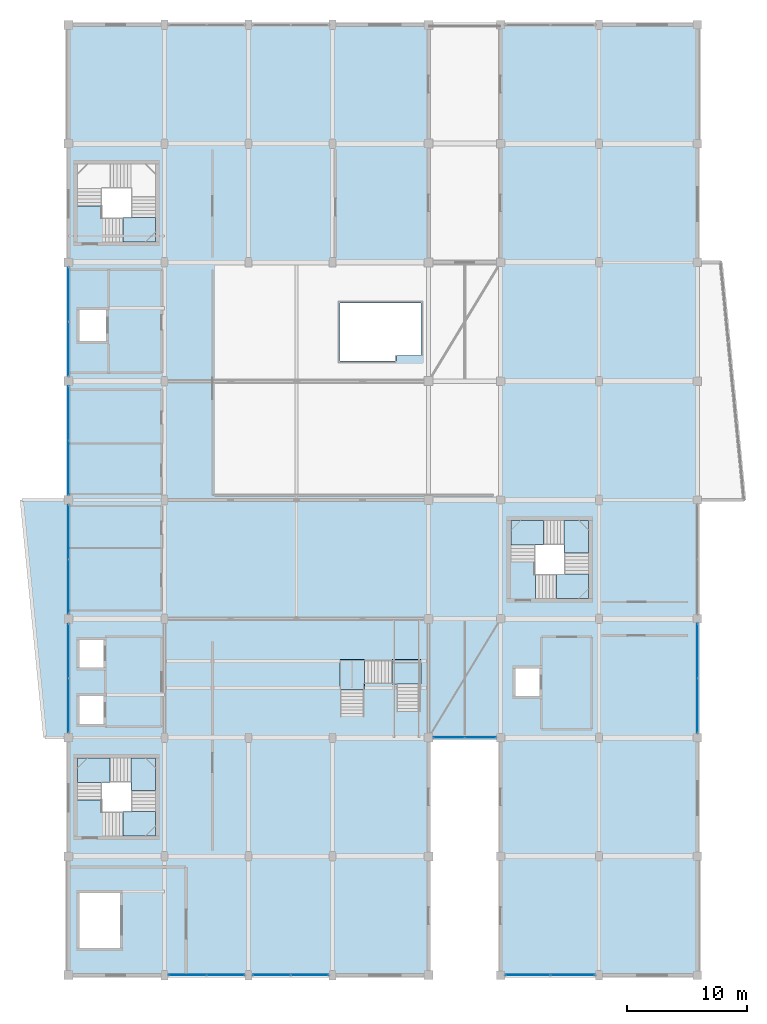
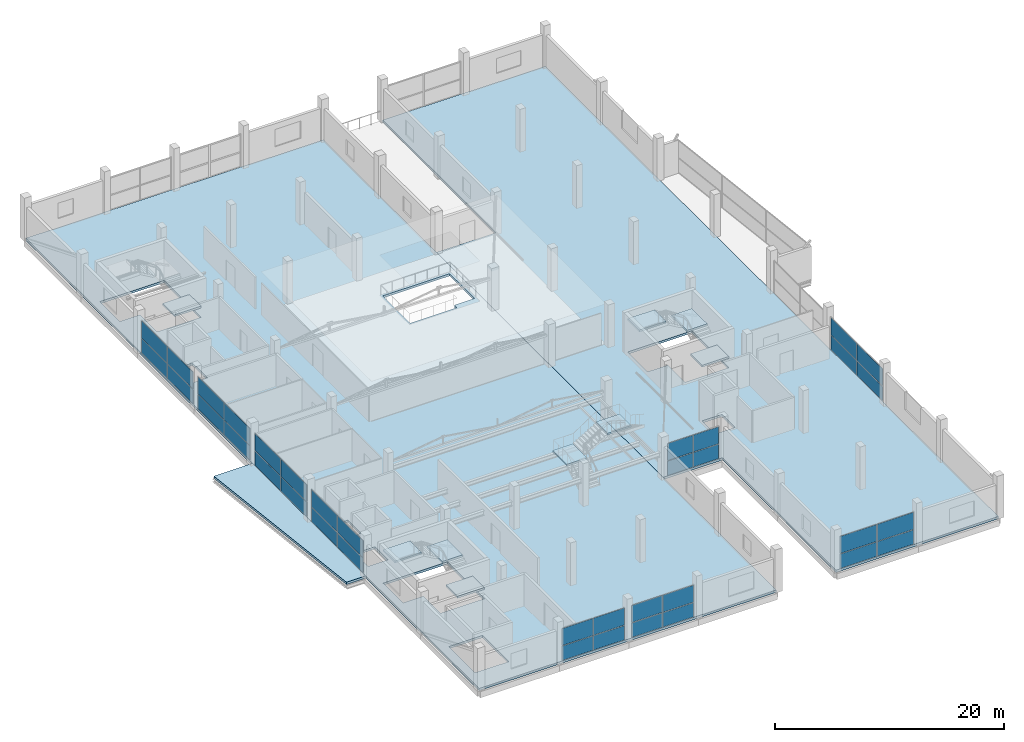
# One storey, part 38 of 55: 36 plates, 12 slabs, 13 elements without a shape of their own.
"""IFC4 building model written with IfcOpenShell, lengths in metres."""

from ifc_helpers import new_model, si_unit, direction, frame, origin, origin_2d, place, context, subcontext, project, spatial, polyline, rectangle, outline, extrude, material, layer, layer_set, type_object, element, aggregate, save


model = new_model("IFC4")

# Units and contexts
model_context = context("Model", 3, precision=1e-05, world=origin(), true_north=direction((0.0, 1.0)))
body_context = subcontext(model_context, "Body", "Model", "MODEL_VIEW")
ifc_project = project(units=[si_unit("LENGTHUNIT", "METRE"), si_unit("AREAUNIT", "SQUARE_METRE"), si_unit("VOLUMEUNIT", "CUBIC_METRE"), si_unit("PLANEANGLEUNIT", "RADIAN"), si_unit("MASSUNIT", "GRAM", prefix="KILO")], contexts=[model_context])

# Site, building, storey
site_placement = place(None, origin())
site = spatial("IfcSite", under=ifc_project, at=site_placement, CompositionType="ELEMENT")
building_placement = place(site_placement, origin())
building = spatial("IfcBuilding", under=site, at=building_placement, Name="Sillaruma Civic Art Gallery", CompositionType="ELEMENT")
storey_placement = place(building_placement, frame((0.0, 0.0, 37.739990234375)))
storey = spatial("IfcBuildingStorey", under=building, at=storey_placement, Name="L07", CompositionType="ELEMENT", Elevation=37.739990234375)

# Curtain wall, plates
ifc_material_1 = material(Name="Thermally Broken Extruded Aluminium 6063-T6", Category="aluminium")
ifc_layer_1 = layer(ifc_material_1, 0.139892578125, Name="Thermally Broken Extruded Aluminium 6063-T6")
ifc_layer_set_1 = layer_set([ifc_layer_1], Name="Thermally Broken Extruded Aluminium 6063-T6")
curtain_wall_type_1 = type_object("IfcCurtainWallType", Name="CW-UNI-48", PredefinedType="NOTDEFINED", material=ifc_layer_set_1)
curtain_wall_1_placement = place(storey_placement, origin())
curtain_wall_1 = element("IfcCurtainWall", 1, at=curtain_wall_1_placement, inside=storey, type_object=curtain_wall_type_1, Name="Unitised Curtain Wall CW-48 (CW-L07-W-5)", PredefinedType="NOTDEFINED")
ifc_material_2 = material(Name="Low-E UV-Filtered Laminated Insulating Glass", Category="glass")
ifc_layer_2 = layer(ifc_material_2, 0.028076171875, Name="Low-E UV-Filtered Laminated Insulating Glass")
ifc_layer_set_2 = layer_set([ifc_layer_2], Name="Low-E UV-Filtered Laminated Insulating Glass")
plate_type_1 = type_object("IfcPlateType", Name="PNL-GLZ-28", PredefinedType="CURTAIN_PANEL", material=ifc_layer_set_2)
plate_1_placement = place(storey_placement, frame((62.0, 62.077392578125, 0.06005859375), z_axis=(0.0, 0.0, 1.0), x_axis=(0.0, 1.0, 0.0)))
plate_1 = element("IfcPlate", 2, at=plate_1_placement, type_object=plate_type_1, Name="CW-48 panel 1.1", PredefinedType="CURTAIN_PANEL", context=body_context, shape_type="SweptSolid", body=[
    extrude(rectangle(XDim=4.485107421875, YDim=0.028076171875, at=origin_2d()), origin(), (0.0, 0.0, 1.0), 1.53369140625),
])
plate_2_placement = place(storey_placement, frame((62.0, 62.077392578125, 1.65380859375), z_axis=(0.0, 0.0, 1.0), x_axis=(0.0, 1.0, 0.0)))
plate_2 = element("IfcPlate", 3, at=plate_2_placement, type_object=plate_type_1, Name="CW-48 panel 1.2", PredefinedType="CURTAIN_PANEL", context=body_context, shape_type="SweptSolid", body=[
    extrude(rectangle(XDim=4.485107421875, YDim=0.028076171875, at=origin_2d()), origin(), (0.0, 0.0, 1.0), 1.816162109375),
])
plate_3_placement = place(storey_placement, frame((62.0, 66.62255859375, 0.06005859375), z_axis=(0.0, 0.0, 1.0), x_axis=(0.0, 1.0, 0.0)))
plate_3 = element("IfcPlate", 4, at=plate_3_placement, type_object=plate_type_1, Name="CW-48 panel 2.1", PredefinedType="CURTAIN_PANEL", context=body_context, shape_type="SweptSolid", body=[
    extrude(rectangle(XDim=4.485107421875, YDim=0.028076171875, at=origin_2d()), origin(), (0.0, 0.0, 1.0), 1.53369140625),
])
plate_4_placement = place(storey_placement, frame((62.0, 66.62255859375, 1.65380859375), z_axis=(0.0, 0.0, 1.0), x_axis=(0.0, 1.0, 0.0)))
plate_4 = element("IfcPlate", 5, at=plate_4_placement, type_object=plate_type_1, Name="CW-48 panel 2.2", PredefinedType="CURTAIN_PANEL", context=body_context, shape_type="SweptSolid", body=[
    extrude(rectangle(XDim=4.485107421875, YDim=0.028076171875, at=origin_2d()), origin(), (0.0, 0.0, 1.0), 1.816162109375),
])
aggregate(curtain_wall_1, [plate_1, plate_2, plate_3, plate_4])

ifc_layer_3 = layer(ifc_material_1, 0.159912109375, Name="Thermally Broken Extruded Aluminium 6063-T6")
ifc_layer_set_3 = layer_set([ifc_layer_3], Name="Thermally Broken Extruded Aluminium 6063-T6")
curtain_wall_type_2 = type_object("IfcCurtainWallType", Name="CW-UNI-46", PredefinedType="NOTDEFINED", material=ifc_layer_set_3)
curtain_wall_2_placement = place(storey_placement, origin())
curtain_wall_2 = element("IfcCurtainWall", 6, at=curtain_wall_2_placement, inside=storey, type_object=curtain_wall_type_2, Name="Unitised Curtain Wall CW-46 (CW-L07-W-4)", PredefinedType="NOTDEFINED")
ifc_layer_4 = layer(ifc_material_2, 0.031982421875, Name="Low-E UV-Filtered Laminated Insulating Glass")
ifc_layer_set_4 = layer_set([ifc_layer_4], Name="Low-E UV-Filtered Laminated Insulating Glass")
plate_type_2 = type_object("IfcPlateType", Name="PNL-GLZ-32", PredefinedType="CURTAIN_PANEL", material=ifc_layer_set_4)
plate_5_placement = place(storey_placement, frame((62.0, 52.1787109375, 0.06494140625), z_axis=(0.0, 0.0, 1.0), x_axis=(0.0, 1.0, 0.0)))
plate_5 = element("IfcPlate", 7, at=plate_5_placement, type_object=plate_type_2, Name="CW-46 panel 1.1", PredefinedType="CURTAIN_PANEL", context=body_context, shape_type="SweptSolid", body=[
    extrude(rectangle(XDim=4.4775390625, YDim=0.031982421875, at=origin_2d()), origin(), (0.0, 0.0, 1.0), 1.5263671875),
])
plate_6_placement = place(storey_placement, frame((62.0, 52.1787109375, 1.65625), z_axis=(0.0, 0.0, 1.0), x_axis=(0.0, 1.0, 0.0)))
plate_6 = element("IfcPlate", 8, at=plate_6_placement, type_object=plate_type_2, Name="CW-46 panel 1.2", PredefinedType="CURTAIN_PANEL", context=body_context, shape_type="SweptSolid", body=[
    extrude(rectangle(XDim=4.4775390625, YDim=0.031982421875, at=origin_2d()), origin(), (0.0, 0.0, 1.0), 1.80859375),
])
plate_7_placement = place(storey_placement, frame((62.0, 56.72119140625, 0.06494140625), z_axis=(0.0, 0.0, 1.0), x_axis=(0.0, 1.0, 0.0)))
plate_7 = element("IfcPlate", 9, at=plate_7_placement, type_object=plate_type_2, Name="CW-46 panel 2.1", PredefinedType="CURTAIN_PANEL", context=body_context, shape_type="SweptSolid", body=[
    extrude(rectangle(XDim=4.4775390625, YDim=0.031982421875, at=origin_2d()), origin(), (0.0, 0.0, 1.0), 1.5263671875),
])
plate_8_placement = place(storey_placement, frame((62.0, 56.72119140625, 1.65625), z_axis=(0.0, 0.0, 1.0), x_axis=(0.0, 1.0, 0.0)))
plate_8 = element("IfcPlate", 10, at=plate_8_placement, type_object=plate_type_2, Name="CW-46 panel 2.2", PredefinedType="CURTAIN_PANEL", context=body_context, shape_type="SweptSolid", body=[
    extrude(rectangle(XDim=4.4775390625, YDim=0.031982421875, at=origin_2d()), origin(), (0.0, 0.0, 1.0), 1.80859375),
])
aggregate(curtain_wall_2, [plate_5, plate_6, plate_7, plate_8])

ifc_layer_5 = layer(ifc_material_1, 0.139892578125, Name="Thermally Broken Extruded Aluminium 6063-T6")
ifc_layer_set_5 = layer_set([ifc_layer_5], Name="Thermally Broken Extruded Aluminium 6063-T6")
curtain_wall_type_3 = type_object("IfcCurtainWallType", Name="CW-UNI-50", PredefinedType="NOTDEFINED", material=ifc_layer_set_5)
curtain_wall_3_placement = place(storey_placement, origin())
curtain_wall_3 = element("IfcCurtainWall", 11, at=curtain_wall_3_placement, inside=storey, type_object=curtain_wall_type_3, Name="Unitised Curtain Wall CW-50 (CW-L07-S-2)", PredefinedType="NOTDEFINED")
ifc_layer_6 = layer(ifc_material_2, 0.033935546875, Name="Low-E UV-Filtered Laminated Insulating Glass")
ifc_layer_set_6 = layer_set([ifc_layer_6], Name="Low-E UV-Filtered Laminated Insulating Glass")
plate_type_3 = type_object("IfcPlateType", Name="PNL-GLZ-34", PredefinedType="CURTAIN_PANEL", material=ifc_layer_set_6)
plate_9_placement = place(storey_placement, frame((71.9150390625, 19.800048828125, 0.06494140625), z_axis=(0.0, 0.0, 1.0), x_axis=(1.0, 0.0, 0.0)))
plate_9 = element("IfcPlate", 12, at=plate_9_placement, type_object=plate_type_3, Name="CW-50 panel 1.1", PredefinedType="CURTAIN_PANEL", context=body_context, shape_type="SweptSolid", body=[
    extrude(rectangle(XDim=3.110107421875, YDim=0.033935546875, at=origin_2d()), origin(), (0.0, 0.0, 1.0), 1.5263671875),
])
plate_10_placement = place(storey_placement, frame((71.9150390625, 19.800048828125, 1.65625), z_axis=(0.0, 0.0, 1.0), x_axis=(1.0, 0.0, 0.0)))
plate_10 = element("IfcPlate", 13, at=plate_10_placement, type_object=plate_type_3, Name="CW-50 panel 1.2", PredefinedType="CURTAIN_PANEL", context=body_context, shape_type="SweptSolid", body=[
    extrude(rectangle(XDim=3.110107421875, YDim=0.033935546875, at=origin_2d()), origin(), (0.0, 0.0, 1.0), 1.80859375),
])
plate_11_placement = place(storey_placement, frame((75.0849609375, 19.800048828125, 0.06494140625), z_axis=(0.0, 0.0, 1.0), x_axis=(1.0, 0.0, 0.0)))
plate_11 = element("IfcPlate", 14, at=plate_11_placement, type_object=plate_type_3, Name="CW-50 panel 2.1", PredefinedType="CURTAIN_PANEL", context=body_context, shape_type="SweptSolid", body=[
    extrude(rectangle(XDim=3.110107421875, YDim=0.033935546875, at=origin_2d()), origin(), (0.0, 0.0, 1.0), 1.5263671875),
])
plate_12_placement = place(storey_placement, frame((75.0849609375, 19.800048828125, 1.65625), z_axis=(0.0, 0.0, 1.0), x_axis=(1.0, 0.0, 0.0)))
plate_12 = element("IfcPlate", 15, at=plate_12_placement, type_object=plate_type_3, Name="CW-50 panel 2.2", PredefinedType="CURTAIN_PANEL", context=body_context, shape_type="SweptSolid", body=[
    extrude(rectangle(XDim=3.110107421875, YDim=0.033935546875, at=origin_2d()), origin(), (0.0, 0.0, 1.0), 1.80859375),
])
aggregate(curtain_wall_3, [plate_9, plate_10, plate_11, plate_12])

ifc_layer_7 = layer(ifc_material_1, 0.139892578125, Name="Thermally Broken Extruded Aluminium 6063-T6")
ifc_layer_set_7 = layer_set([ifc_layer_7], Name="Thermally Broken Extruded Aluminium 6063-T6")
curtain_wall_type_4 = type_object("IfcCurtainWallType", Name="CW-UNI-53", PredefinedType="NOTDEFINED", material=ifc_layer_set_7)
curtain_wall_4_placement = place(storey_placement, origin())
curtain_wall_4 = element("IfcCurtainWall", 16, at=curtain_wall_4_placement, inside=storey, type_object=curtain_wall_type_4, Name="Unitised Curtain Wall CW-53 (CW-L07-CYN-S)", PredefinedType="NOTDEFINED")
plate_13_placement = place(storey_placement, frame((93.708740234375, 39.60009765625, 0.06494140625), z_axis=(0.0, 0.0, 1.0), x_axis=(1.0, 0.0, 0.0)))
plate_13 = element("IfcPlate", 17, at=plate_13_placement, type_object=plate_type_3, Name="CW-53 panel 1.1", PredefinedType="CURTAIN_PANEL", context=body_context, shape_type="SweptSolid", body=[
    extrude(rectangle(XDim=2.547607421875, YDim=0.033935546875, at=origin_2d()), origin(), (0.0, 0.0, 1.0), 1.5263671875),
])
plate_14_placement = place(storey_placement, frame((93.708740234375, 39.60009765625, 1.65625), z_axis=(0.0, 0.0, 1.0), x_axis=(1.0, 0.0, 0.0)))
plate_14 = element("IfcPlate", 18, at=plate_14_placement, type_object=plate_type_3, Name="CW-53 panel 1.2", PredefinedType="CURTAIN_PANEL", context=body_context, shape_type="SweptSolid", body=[
    extrude(rectangle(XDim=2.547607421875, YDim=0.033935546875, at=origin_2d()), origin(), (0.0, 0.0, 1.0), 1.80859375),
])
plate_15_placement = place(storey_placement, frame((96.316162109375, 39.60009765625, 0.06494140625), z_axis=(0.0, 0.0, 1.0), x_axis=(1.0, 0.0, 0.0)))
plate_15 = element("IfcPlate", 19, at=plate_15_placement, type_object=plate_type_3, Name="CW-53 panel 2.1", PredefinedType="CURTAIN_PANEL", context=body_context, shape_type="SweptSolid", body=[
    extrude(rectangle(XDim=2.547607421875, YDim=0.033935546875, at=origin_2d()), origin(), (0.0, 0.0, 1.0), 1.5263671875),
])
plate_16_placement = place(storey_placement, frame((96.316162109375, 39.60009765625, 1.65625), z_axis=(0.0, 0.0, 1.0), x_axis=(1.0, 0.0, 0.0)))
plate_16 = element("IfcPlate", 20, at=plate_16_placement, type_object=plate_type_3, Name="CW-53 panel 2.2", PredefinedType="CURTAIN_PANEL", context=body_context, shape_type="SweptSolid", body=[
    extrude(rectangle(XDim=2.547607421875, YDim=0.033935546875, at=origin_2d()), origin(), (0.0, 0.0, 1.0), 1.80859375),
])
aggregate(curtain_wall_4, [plate_13, plate_14, plate_15, plate_16])

ifc_layer_8 = layer(ifc_material_1, 0.179931640625, Name="Thermally Broken Extruded Aluminium 6063-T6")
ifc_layer_set_8 = layer_set([ifc_layer_8], Name="Thermally Broken Extruded Aluminium 6063-T6")
curtain_wall_type_5 = type_object("IfcCurtainWallType", Name="CW-UNI-44", PredefinedType="NOTDEFINED", material=ifc_layer_set_8)
curtain_wall_5_placement = place(storey_placement, origin())
curtain_wall_5 = element("IfcCurtainWall", 21, at=curtain_wall_5_placement, inside=storey, type_object=curtain_wall_type_5, Name="Unitised Curtain Wall CW-44 (CW-L07-W-3)", PredefinedType="NOTDEFINED")
ifc_layer_9 = layer(ifc_material_2, 0.035888671875, Name="Low-E UV-Filtered Laminated Insulating Glass")
ifc_layer_set_9 = layer_set([ifc_layer_9], Name="Low-E UV-Filtered Laminated Insulating Glass")
plate_type_4 = type_object("IfcPlateType", Name="PNL-GLZ-36", PredefinedType="CURTAIN_PANEL", material=ifc_layer_set_9)
plate_17_placement = place(storey_placement, frame((62.0, 42.280029296875, 0.06982421875), z_axis=(0.0, 0.0, 1.0), x_axis=(0.0, 1.0, 0.0)))
plate_17 = element("IfcPlate", 22, at=plate_17_placement, type_object=plate_type_4, Name="CW-44 panel 1.1", PredefinedType="CURTAIN_PANEL", context=body_context, shape_type="SweptSolid", body=[
    extrude(rectangle(XDim=4.469970703125, YDim=0.035888671875, at=origin_2d()), origin(), (0.0, 0.0, 1.0), 1.518798828125),
])
plate_18_placement = place(storey_placement, frame((62.0, 42.280029296875, 1.65869140625), z_axis=(0.0, 0.0, 1.0), x_axis=(0.0, 1.0, 0.0)))
plate_18 = element("IfcPlate", 23, at=plate_18_placement, type_object=plate_type_4, Name="CW-44 panel 1.2", PredefinedType="CURTAIN_PANEL", context=body_context, shape_type="SweptSolid", body=[
    extrude(rectangle(XDim=4.469970703125, YDim=0.035888671875, at=origin_2d()), origin(), (0.0, 0.0, 1.0), 1.80126953125),
])
plate_19_placement = place(storey_placement, frame((62.0, 46.820068359375, 0.06982421875), z_axis=(0.0, 0.0, 1.0), x_axis=(0.0, 1.0, 0.0)))
plate_19 = element("IfcPlate", 24, at=plate_19_placement, type_object=plate_type_4, Name="CW-44 panel 2.1", PredefinedType="CURTAIN_PANEL", context=body_context, shape_type="SweptSolid", body=[
    extrude(rectangle(XDim=4.469970703125, YDim=0.035888671875, at=origin_2d()), origin(), (0.0, 0.0, 1.0), 1.518798828125),
])
plate_20_placement = place(storey_placement, frame((62.0, 46.820068359375, 1.65869140625), z_axis=(0.0, 0.0, 1.0), x_axis=(0.0, 1.0, 0.0)))
plate_20 = element("IfcPlate", 25, at=plate_20_placement, type_object=plate_type_4, Name="CW-44 panel 2.2", PredefinedType="CURTAIN_PANEL", context=body_context, shape_type="SweptSolid", body=[
    extrude(rectangle(XDim=4.469970703125, YDim=0.035888671875, at=origin_2d()), origin(), (0.0, 0.0, 1.0), 1.80126953125),
])
aggregate(curtain_wall_5, [plate_17, plate_18, plate_19, plate_20])

ifc_layer_10 = layer(ifc_material_1, 0.179931640625, Name="Thermally Broken Extruded Aluminium 6063-T6")
ifc_layer_set_10 = layer_set([ifc_layer_10], Name="Thermally Broken Extruded Aluminium 6063-T6")
curtain_wall_type_6 = type_object("IfcCurtainWallType", Name="CW-UNI-51", PredefinedType="NOTDEFINED", material=ifc_layer_set_10)
curtain_wall_6_placement = place(storey_placement, origin())
curtain_wall_6 = element("IfcCurtainWall", 26, at=curtain_wall_6_placement, inside=storey, type_object=curtain_wall_type_6, Name="Unitised Curtain Wall CW-51 (CW-L07-S-3)", PredefinedType="NOTDEFINED")
plate_21_placement = place(storey_placement, frame((78.91748046875, 19.800048828125, 0.06982421875), z_axis=(0.0, 0.0, 1.0), x_axis=(1.0, 0.0, 0.0)))
plate_21 = element("IfcPlate", 27, at=plate_21_placement, type_object=plate_type_4, Name="CW-51 panel 1.1", PredefinedType="CURTAIN_PANEL", context=body_context, shape_type="SweptSolid", body=[
    extrude(rectangle(XDim=3.094970703125, YDim=0.035888671875, at=origin_2d()), origin(), (0.0, 0.0, 1.0), 1.518798828125),
])
plate_22_placement = place(storey_placement, frame((78.91748046875, 19.800048828125, 1.65869140625), z_axis=(0.0, 0.0, 1.0), x_axis=(1.0, 0.0, 0.0)))
plate_22 = element("IfcPlate", 28, at=plate_22_placement, type_object=plate_type_4, Name="CW-51 panel 1.2", PredefinedType="CURTAIN_PANEL", context=body_context, shape_type="SweptSolid", body=[
    extrude(rectangle(XDim=3.094970703125, YDim=0.035888671875, at=origin_2d()), origin(), (0.0, 0.0, 1.0), 1.80126953125),
])
plate_23_placement = place(storey_placement, frame((82.08251953125, 19.800048828125, 0.06982421875), z_axis=(0.0, 0.0, 1.0), x_axis=(1.0, 0.0, 0.0)))
plate_23 = element("IfcPlate", 29, at=plate_23_placement, type_object=plate_type_4, Name="CW-51 panel 2.1", PredefinedType="CURTAIN_PANEL", context=body_context, shape_type="SweptSolid", body=[
    extrude(rectangle(XDim=3.094970703125, YDim=0.035888671875, at=origin_2d()), origin(), (0.0, 0.0, 1.0), 1.518798828125),
])
plate_24_placement = place(storey_placement, frame((82.08251953125, 19.800048828125, 1.65869140625), z_axis=(0.0, 0.0, 1.0), x_axis=(1.0, 0.0, 0.0)))
plate_24 = element("IfcPlate", 30, at=plate_24_placement, type_object=plate_type_4, Name="CW-51 panel 2.2", PredefinedType="CURTAIN_PANEL", context=body_context, shape_type="SweptSolid", body=[
    extrude(rectangle(XDim=3.094970703125, YDim=0.035888671875, at=origin_2d()), origin(), (0.0, 0.0, 1.0), 1.80126953125),
])
aggregate(curtain_wall_6, [plate_21, plate_22, plate_23, plate_24])

ifc_layer_11 = layer(ifc_material_1, 0.179931640625, Name="Thermally Broken Extruded Aluminium 6063-T6")
ifc_layer_set_11 = layer_set([ifc_layer_11], Name="Thermally Broken Extruded Aluminium 6063-T6")
curtain_wall_type_7 = type_object("IfcCurtainWallType", Name="CW-UNI-45", PredefinedType="NOTDEFINED", material=ifc_layer_set_11)
curtain_wall_7_placement = place(storey_placement, origin())
curtain_wall_7 = element("IfcCurtainWall", 31, at=curtain_wall_7_placement, inside=storey, type_object=curtain_wall_type_7, Name="Unitised Curtain Wall CW-45 (CW-L07-E-3)", PredefinedType="NOTDEFINED")
ifc_layer_12 = layer(ifc_material_2, 0.0400390625, Name="Low-E UV-Filtered Laminated Insulating Glass")
ifc_layer_set_12 = layer_set([ifc_layer_12], Name="Low-E UV-Filtered Laminated Insulating Glass")
plate_type_5 = type_object("IfcPlateType", Name="PNL-GLZ-40", PredefinedType="CURTAIN_PANEL", material=ifc_layer_set_12)
plate_25_placement = place(storey_placement, frame((114.39990234375, 42.267578125, 0.06494140625), z_axis=(0.0, 0.0, 1.0), x_axis=(0.0, 1.0, 0.0)))
plate_25 = element("IfcPlate", 32, at=plate_25_placement, type_object=plate_type_5, Name="CW-45 panel 1.1", PredefinedType="CURTAIN_PANEL", context=body_context, shape_type="SweptSolid", body=[
    extrude(rectangle(XDim=4.4951171875, YDim=0.0400390625, at=origin_2d()), origin(), (0.0, 0.0, 1.0), 1.5263671875),
])
plate_26_placement = place(storey_placement, frame((114.39990234375, 42.267578125, 1.65625), z_axis=(0.0, 0.0, 1.0), x_axis=(0.0, 1.0, 0.0)))
plate_26 = element("IfcPlate", 33, at=plate_26_placement, type_object=plate_type_5, Name="CW-45 panel 1.2", PredefinedType="CURTAIN_PANEL", context=body_context, shape_type="SweptSolid", body=[
    extrude(rectangle(XDim=4.4951171875, YDim=0.0400390625, at=origin_2d()), origin(), (0.0, 0.0, 1.0), 1.80859375),
])
plate_27_placement = place(storey_placement, frame((114.39990234375, 46.83251953125, 0.06494140625), z_axis=(0.0, 0.0, 1.0), x_axis=(0.0, 1.0, 0.0)))
plate_27 = element("IfcPlate", 34, at=plate_27_placement, type_object=plate_type_5, Name="CW-45 panel 2.1", PredefinedType="CURTAIN_PANEL", context=body_context, shape_type="SweptSolid", body=[
    extrude(rectangle(XDim=4.4951171875, YDim=0.0400390625, at=origin_2d()), origin(), (0.0, 0.0, 1.0), 1.5263671875),
])
plate_28_placement = place(storey_placement, frame((114.39990234375, 46.83251953125, 1.65625), z_axis=(0.0, 0.0, 1.0), x_axis=(0.0, 1.0, 0.0)))
plate_28 = element("IfcPlate", 35, at=plate_28_placement, type_object=plate_type_5, Name="CW-45 panel 2.2", PredefinedType="CURTAIN_PANEL", context=body_context, shape_type="SweptSolid", body=[
    extrude(rectangle(XDim=4.4951171875, YDim=0.0400390625, at=origin_2d()), origin(), (0.0, 0.0, 1.0), 1.80859375),
])
aggregate(curtain_wall_7, [plate_25, plate_26, plate_27, plate_28])

curtain_wall_8_placement = place(storey_placement, origin())
curtain_wall_8 = element("IfcCurtainWall", 36, at=curtain_wall_8_placement, inside=storey, type_object=curtain_wall_type_7, Name="Unitised Curtain Wall CW-45 (CW-L07-W-6)", PredefinedType="NOTDEFINED")
plate_29_placement = place(storey_placement, frame((62.0, 71.97998046875, 0.06494140625), z_axis=(0.0, 0.0, 1.0), x_axis=(0.0, 1.0, 0.0)))
plate_29 = element("IfcPlate", 37, at=plate_29_placement, type_object=plate_type_5, Name="CW-45 panel 1.1", PredefinedType="CURTAIN_PANEL", context=body_context, shape_type="SweptSolid", body=[
    extrude(rectangle(XDim=4.469970703125, YDim=0.0400390625, at=origin_2d()), origin(), (0.0, 0.0, 1.0), 1.5263671875),
])
plate_30_placement = place(storey_placement, frame((62.0, 71.97998046875, 1.65625), z_axis=(0.0, 0.0, 1.0), x_axis=(0.0, 1.0, 0.0)))
plate_30 = element("IfcPlate", 38, at=plate_30_placement, type_object=plate_type_5, Name="CW-45 panel 1.2", PredefinedType="CURTAIN_PANEL", context=body_context, shape_type="SweptSolid", body=[
    extrude(rectangle(XDim=4.469970703125, YDim=0.0400390625, at=origin_2d()), origin(), (0.0, 0.0, 1.0), 1.80859375),
])
plate_31_placement = place(storey_placement, frame((62.0, 76.52001953125, 0.06494140625), z_axis=(0.0, 0.0, 1.0), x_axis=(0.0, 1.0, 0.0)))
plate_31 = element("IfcPlate", 39, at=plate_31_placement, type_object=plate_type_5, Name="CW-45 panel 2.1", PredefinedType="CURTAIN_PANEL", context=body_context, shape_type="SweptSolid", body=[
    extrude(rectangle(XDim=4.469970703125, YDim=0.0400390625, at=origin_2d()), origin(), (0.0, 0.0, 1.0), 1.5263671875),
])
plate_32_placement = place(storey_placement, frame((62.0, 76.52001953125, 1.65625), z_axis=(0.0, 0.0, 1.0), x_axis=(0.0, 1.0, 0.0)))
plate_32 = element("IfcPlate", 40, at=plate_32_placement, type_object=plate_type_5, Name="CW-45 panel 2.2", PredefinedType="CURTAIN_PANEL", context=body_context, shape_type="SweptSolid", body=[
    extrude(rectangle(XDim=4.469970703125, YDim=0.0400390625, at=origin_2d()), origin(), (0.0, 0.0, 1.0), 1.80859375),
])
aggregate(curtain_wall_8, [plate_29, plate_30, plate_31, plate_32])

ifc_layer_13 = layer(ifc_material_1, 0.179931640625, Name="Thermally Broken Extruded Aluminium 6063-T6")
ifc_layer_set_13 = layer_set([ifc_layer_13], Name="Thermally Broken Extruded Aluminium 6063-T6")
curtain_wall_type_8 = type_object("IfcCurtainWallType", Name="CW-UNI-52", PredefinedType="NOTDEFINED", material=ifc_layer_set_13)
curtain_wall_9_placement = place(storey_placement, origin())
curtain_wall_9 = element("IfcCurtainWall", 41, at=curtain_wall_9_placement, inside=storey, type_object=curtain_wall_type_8, Name="Unitised Curtain Wall CW-52 (CW-L07-S-6)", PredefinedType="NOTDEFINED")
plate_33_placement = place(storey_placement, frame((100.2548828125, 19.800048828125, 0.06494140625), z_axis=(0.0, 0.0, 1.0), x_axis=(1.0, 0.0, 0.0)))
plate_33 = element("IfcPlate", 42, at=plate_33_placement, type_object=plate_type_5, Name="CW-52 panel 1.1", PredefinedType="CURTAIN_PANEL", context=body_context, shape_type="SweptSolid", body=[
    extrude(rectangle(XDim=3.669921875, YDim=0.0400390625, at=origin_2d()), origin(), (0.0, 0.0, 1.0), 1.5263671875),
])
plate_34_placement = place(storey_placement, frame((100.2548828125, 19.800048828125, 1.65625), z_axis=(0.0, 0.0, 1.0), x_axis=(1.0, 0.0, 0.0)))
plate_34 = element("IfcPlate", 43, at=plate_34_placement, type_object=plate_type_5, Name="CW-52 panel 1.2", PredefinedType="CURTAIN_PANEL", context=body_context, shape_type="SweptSolid", body=[
    extrude(rectangle(XDim=3.669921875, YDim=0.0400390625, at=origin_2d()), origin(), (0.0, 0.0, 1.0), 1.80859375),
])
plate_35_placement = place(storey_placement, frame((103.9951171875, 19.800048828125, 0.06494140625), z_axis=(0.0, 0.0, 1.0), x_axis=(1.0, 0.0, 0.0)))
plate_35 = element("IfcPlate", 44, at=plate_35_placement, type_object=plate_type_5, Name="CW-52 panel 2.1", PredefinedType="CURTAIN_PANEL", context=body_context, shape_type="SweptSolid", body=[
    extrude(rectangle(XDim=3.669921875, YDim=0.0400390625, at=origin_2d()), origin(), (0.0, 0.0, 1.0), 1.5263671875),
])
plate_36_placement = place(storey_placement, frame((103.9951171875, 19.800048828125, 1.65625), z_axis=(0.0, 0.0, 1.0), x_axis=(1.0, 0.0, 0.0)))
plate_36 = element("IfcPlate", 45, at=plate_36_placement, type_object=plate_type_5, Name="CW-52 panel 2.2", PredefinedType="CURTAIN_PANEL", context=body_context, shape_type="SweptSolid", body=[
    extrude(rectangle(XDim=3.669921875, YDim=0.0400390625, at=origin_2d()), origin(), (0.0, 0.0, 1.0), 1.80859375),
])
aggregate(curtain_wall_9, [plate_33, plate_34, plate_35, plate_36])

# Slabs
ifc_material_3 = material(Name="Concrete H35 (35 MPa)", Category="concrete")
ifc_layer_14 = layer(ifc_material_3, 0.239990234375, Name="Concrete H35 (35 MPa)")
ifc_layer_set_14 = layer_set([ifc_layer_14], Name="Concrete H35 (35 MPa)")
slab_type_1 = type_object("IfcSlabType", Name="SLB-FLR-240", PredefinedType="FLOOR", material=ifc_layer_set_14)
slab_1_placement = place(storey_placement, frame((0.0, 0.0, -0.239990234375)))
element("IfcSlab", 46, at=slab_1_placement, inside=storey, type_object=slab_type_1, Name="Floor Slab SF-240 (SLB-L07-WEST)", PredefinedType="FLOOR", context=body_context, shape_type="SweptSolid", body=[
    extrude(outline(polyline([(62.0, 19.800048828125), (92.0, 19.800048828125), (92.0, 99.0), (62.0, 99.0), (62.0, 19.800048828125)]), holes=[polyline([(64.81494140625, 80.909912109375), (69.239990234375, 80.909912109375), (69.239990234375, 87.389892578125), (62.760009765625, 87.389892578125), (62.760009765625, 83.9150390625), (64.81494140625, 83.9150390625), (64.81494140625, 80.909912109375)]), polyline([(64.81494140625, 31.409912109375), (69.239990234375, 31.409912109375), (69.239990234375, 37.889892578125), (62.760009765625, 37.889892578125), (62.760009765625, 34.4150390625), (64.81494140625, 34.4150390625), (64.81494140625, 31.409912109375)]), polyline([(84.60009765625, 71.0), (89.320068359375, 71.0), (89.320068359375, 71.455078125), (91.360107421875, 71.455078125), (91.360107421875, 75.800048828125), (84.60009765625, 75.800048828125), (84.60009765625, 71.0)]), polyline([(62.89990234375, 40.75), (64.89990234375, 40.75), (64.89990234375, 43.050048828125), (62.89990234375, 43.050048828125), (62.89990234375, 40.75)]), polyline([(62.89990234375, 45.449951171875), (64.89990234375, 45.449951171875), (64.89990234375, 47.75), (62.89990234375, 47.75), (62.89990234375, 45.449951171875)]), polyline([(62.89990234375, 72.64990234375), (65.10009765625, 72.64990234375), (65.10009765625, 75.25), (62.89990234375, 75.25), (62.89990234375, 72.64990234375)]), polyline([(62.89990234375, 22.050048828125), (66.300048828125, 22.050048828125), (66.300048828125, 26.64990234375), (62.89990234375, 26.64990234375), (62.89990234375, 22.050048828125)])]), origin(), (0.0, 0.0, 1.0), 0.239990234375),
])
slab_2_placement = place(storey_placement, frame((0.0, 0.0, -0.239990234375)))
element("IfcSlab", 47, at=slab_2_placement, inside=storey, type_object=slab_type_1, Name="Floor Slab SF-240 (SLB-L07-EAST)", PredefinedType="FLOOR", context=body_context, shape_type="SweptSolid", body=[
    extrude(outline(polyline([(92.0, 39.60009765625), (98.0, 39.60009765625), (98.0, 19.800048828125), (114.39990234375, 19.800048828125), (114.39990234375, 99.0), (98.0, 99.0), (98.0, 79.199951171875), (92.0, 79.199951171875), (92.0, 39.60009765625)]), holes=[polyline([(100.9150390625, 51.2099609375), (105.340087890625, 51.2099609375), (105.340087890625, 57.68994140625), (98.860107421875, 57.68994140625), (98.860107421875, 54.215087890625), (100.9150390625, 54.215087890625), (100.9150390625, 51.2099609375)]), polyline([(99.25, 43.050048828125), (101.25, 43.050048828125), (101.25, 45.35009765625), (99.25, 45.35009765625), (99.25, 43.050048828125)])]), origin(), (0.0, 0.0, 1.0), 0.239990234375),
])

# Stair, slabs
stair_type_1 = type_object("IfcStairType", Name="STR-3F-27", PredefinedType="TWO_QUARTER_TURN_STAIR", material=ifc_material_3)
stair_1_placement = place(storey_placement, origin())
stair_1 = element("IfcStair", 48, at=stair_1_placement, inside=storey, type_object=stair_type_1, Name="Monumental Gallery Feature Stair ST-G04 (L07)", PredefinedType="TWO_QUARTER_TURN_STAIR")
ifc_layer_15 = layer(ifc_material_3, 0.18505859375, Name="Concrete H35 (35 MPa)")
ifc_layer_set_15 = layer_set([ifc_layer_15], Name="Concrete H35 (35 MPa)")
slab_type_2 = type_object("IfcSlabType", Name="SLB-LND-185", PredefinedType="LANDING", material=ifc_layer_set_15)
slab_3_placement = place(storey_placement, frame((0.0, 0.0, 1.344970703125)))
slab_3 = element("IfcSlab", 49, at=slab_3_placement, type_object=slab_type_2, Name="ST-G04 landing 1", PredefinedType="LANDING", context=body_context, shape_type="SweptSolid", body=[
    extrude(outline(polyline([(84.60009765625, 43.6201171875), (86.639892578125, 43.6201171875), (86.639892578125, 46.10009765625), (84.60009765625, 46.10009765625), (84.60009765625, 43.6201171875)])), origin(), (0.0, 0.0, 1.0), 0.18505859375),
])
slab_4_placement = place(storey_placement, frame((0.0, 0.0, 2.875)))
slab_4 = element("IfcSlab", 50, at=slab_4_placement, type_object=slab_type_2, Name="ST-G04 landing 2", PredefinedType="LANDING", context=body_context, shape_type="SweptSolid", body=[
    extrude(outline(polyline([(88.9599609375, 44.06005859375), (91.360107421875, 44.06005859375), (91.360107421875, 46.10009765625), (88.9599609375, 46.10009765625), (88.9599609375, 44.06005859375)])), origin(), (0.0, 0.0, 1.0), 0.18505859375),
])
aggregate(stair_1, [slab_3, slab_4])

# Stair, slab
stair_type_2 = type_object("IfcStairType", Name="STR-4F-27", PredefinedType="USERDEFINED", material=ifc_material_3)
stair_2_placement = place(storey_placement, origin())
stair_2 = element("IfcStair", 51, at=stair_2_placement, inside=storey, type_object=stair_type_2, Name="Protected Exit Stair ST-02 (West Bar North) (L07)", ObjectType="THREE_RETURN_STAIR", PredefinedType="USERDEFINED")
ifc_layer_16 = layer(ifc_material_3, 0.199951171875, Name="Concrete H35 (35 MPa)")
ifc_layer_set_16 = layer_set([ifc_layer_16], Name="Concrete H35 (35 MPa)")
slab_type_3 = type_object("IfcSlabType", Name="SLB-LND-200", PredefinedType="LANDING", material=ifc_layer_set_16)
slab_5_placement = place(storey_placement, frame((0.0, 0.0, 0.989990234375)))
slab_5 = element("IfcSlab", 52, at=slab_5_placement, type_object=slab_type_3, Name="ST-02 landing 1", PredefinedType="LANDING", context=body_context, shape_type="SweptSolid", body=[
    extrude(outline(polyline([(66.5400390625, 80.909912109375), (69.239990234375, 80.909912109375), (69.239990234375, 82.949951171875), (66.5400390625, 82.949951171875), (66.5400390625, 80.909912109375)])), origin(), (0.0, 0.0, 1.0), 0.199951171875),
])
aggregate(stair_2, [slab_5])

# Stair, slabs
stair_3_placement = place(storey_placement, origin())
stair_3 = element("IfcStair", 53, at=stair_3_placement, inside=storey, type_object=stair_type_2, Name="Protected Exit Stair ST-03 (West Bar South) (L07)", ObjectType="THREE_RETURN_STAIR", PredefinedType="USERDEFINED")
slab_6_placement = place(storey_placement, frame((0.0, 0.0, 0.989990234375)))
slab_6 = element("IfcSlab", 54, at=slab_6_placement, type_object=slab_type_3, Name="ST-03 landing 1", PredefinedType="LANDING", context=body_context, shape_type="SweptSolid", body=[
    extrude(outline(polyline([(66.5400390625, 31.409912109375), (69.239990234375, 31.409912109375), (69.239990234375, 33.449951171875), (66.5400390625, 33.449951171875), (66.5400390625, 31.409912109375)])), origin(), (0.0, 0.0, 1.0), 0.199951171875),
])
slab_7_placement = place(storey_placement, frame((0.0, 0.0, 2.179931640625)))
slab_7 = element("IfcSlab", 55, at=slab_7_placement, type_object=slab_type_3, Name="ST-03 landing 2", PredefinedType="LANDING", context=body_context, shape_type="SweptSolid", body=[
    extrude(outline(polyline([(67.199951171875, 35.18994140625), (69.239990234375, 35.18994140625), (69.239990234375, 37.889892578125), (67.199951171875, 37.889892578125), (67.199951171875, 35.18994140625)])), origin(), (0.0, 0.0, 1.0), 0.2001953125),
])
slab_8_placement = place(storey_placement, frame((0.0, 0.0, 3.3701171875)))
slab_8 = element("IfcSlab", 56, at=slab_8_placement, type_object=slab_type_3, Name="ST-03 landing 3", PredefinedType="LANDING", context=body_context, shape_type="SweptSolid", body=[
    extrude(outline(polyline([(62.760009765625, 35.85009765625), (65.4599609375, 35.85009765625), (65.4599609375, 37.889892578125), (62.760009765625, 37.889892578125), (62.760009765625, 35.85009765625)])), origin(), (0.0, 0.0, 1.0), 0.199951171875),
])
aggregate(stair_3, [slab_6, slab_7, slab_8])

stair_4_placement = place(storey_placement, origin())
stair_4 = element("IfcStair", 57, at=stair_4_placement, inside=storey, type_object=stair_type_2, Name="Protected Exit Stair ST-04 (East Bar) (L07)", ObjectType="THREE_RETURN_STAIR", PredefinedType="USERDEFINED")
slab_9_placement = place(storey_placement, frame((0.0, 0.0, 0.989990234375)))
slab_9 = element("IfcSlab", 58, at=slab_9_placement, type_object=slab_type_3, Name="ST-04 landing 1", PredefinedType="LANDING", context=body_context, shape_type="SweptSolid", body=[
    extrude(outline(polyline([(102.639892578125, 51.2099609375), (105.340087890625, 51.2099609375), (105.340087890625, 53.25), (102.639892578125, 53.25), (102.639892578125, 51.2099609375)])), origin(), (0.0, 0.0, 1.0), 0.199951171875),
])
slab_10_placement = place(storey_placement, frame((0.0, 0.0, 2.179931640625)))
slab_10 = element("IfcSlab", 59, at=slab_10_placement, type_object=slab_type_3, Name="ST-04 landing 2", PredefinedType="LANDING", context=body_context, shape_type="SweptSolid", body=[
    extrude(outline(polyline([(103.300048828125, 54.989990234375), (105.340087890625, 54.989990234375), (105.340087890625, 57.68994140625), (103.300048828125, 57.68994140625), (103.300048828125, 54.989990234375)])), origin(), (0.0, 0.0, 1.0), 0.2001953125),
])
slab_11_placement = place(storey_placement, frame((0.0, 0.0, 3.3701171875)))
slab_11 = element("IfcSlab", 60, at=slab_11_placement, type_object=slab_type_3, Name="ST-04 landing 3", PredefinedType="LANDING", context=body_context, shape_type="SweptSolid", body=[
    extrude(outline(polyline([(98.860107421875, 55.64990234375), (101.56005859375, 55.64990234375), (101.56005859375, 57.68994140625), (98.860107421875, 57.68994140625), (98.860107421875, 55.64990234375)])), origin(), (0.0, 0.0, 1.0), 0.199951171875),
])
aggregate(stair_4, [slab_9, slab_10, slab_11])

# Slab
ifc_layer_17 = layer(ifc_material_3, 0.239990234375, Name="Concrete H35 (35 MPa)")
ifc_layer_set_17 = layer_set([ifc_layer_17], Name="Concrete H35 (35 MPa)")
slab_type_4 = type_object("IfcSlabType", Name="SLB-ROOF-240", PredefinedType="ROOF", material=ifc_layer_set_17)
slab_12_placement = place(storey_placement, frame((0.0, 0.0, -0.239990234375)))
element("IfcSlab", 61, at=slab_12_placement, inside=storey, type_object=slab_type_4, Name="Roof Slab SR-240 (ROOF-L07-PRWW)", PredefinedType="ROOF", context=body_context, shape_type="SweptSolid", body=[
    extrude(outline(polyline([(62.0, 39.60009765625), (62.0, 59.39990234375), (58.10009765625, 59.39990234375), (60.050048828125, 39.60009765625), (62.0, 39.60009765625)])), origin(), (0.0, 0.0, 1.0), 0.239990234375),
])

save(model, "model.ifc")
